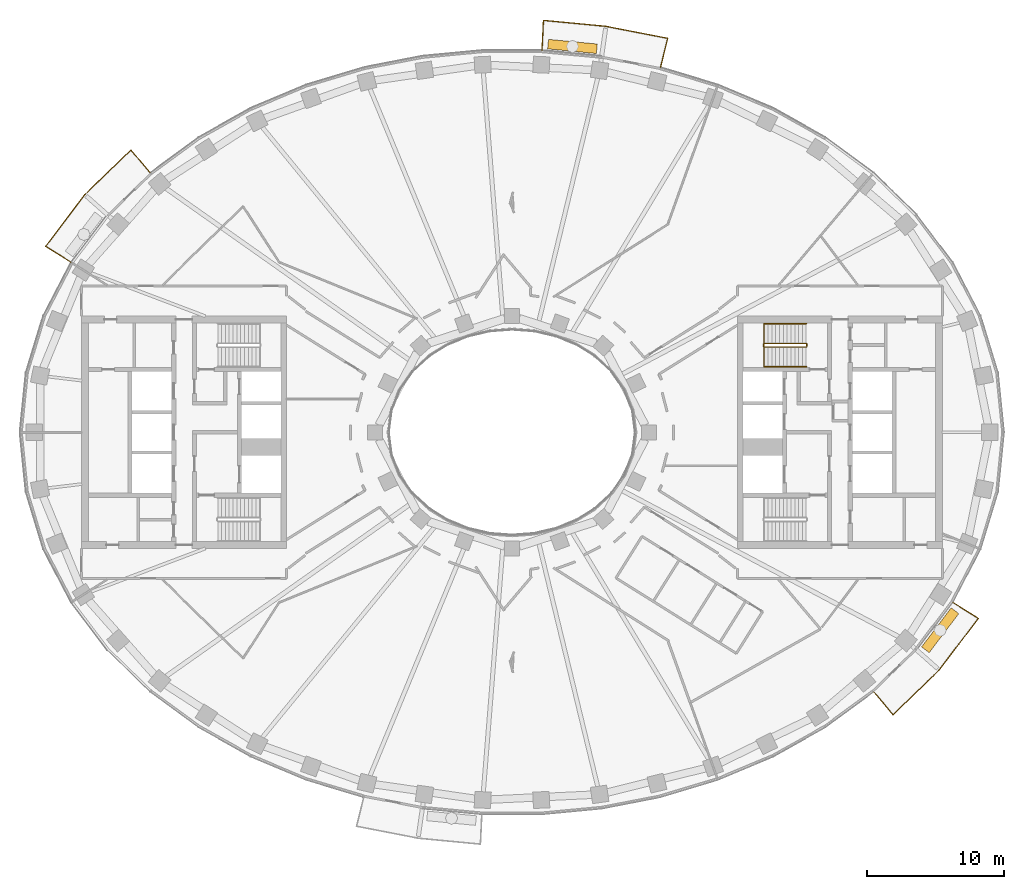
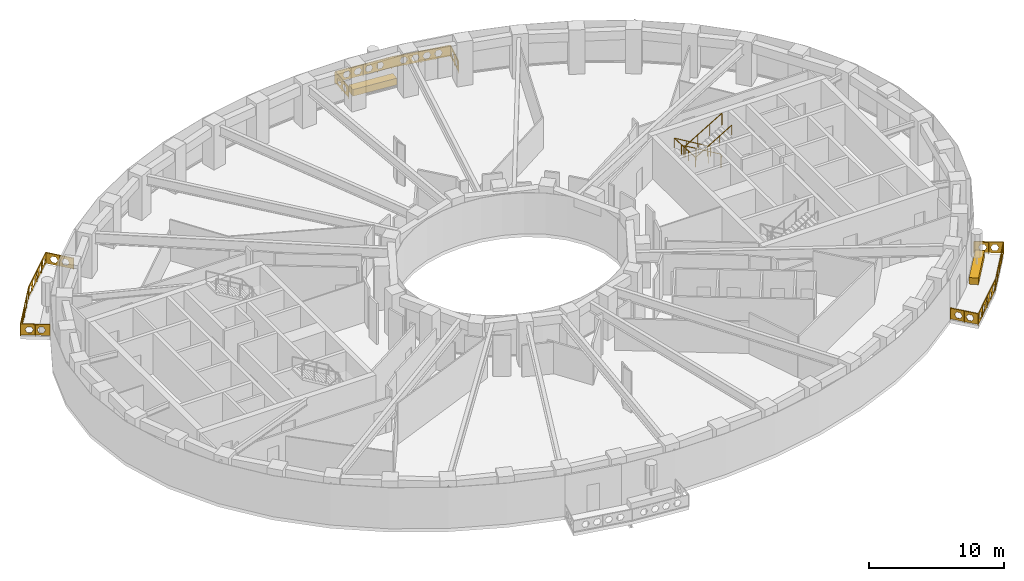
# One storey, part 15 of 16: 5 railings, 2 coverings.
"""IFC4 building model written with IfcOpenShell, lengths in metres."""

from ifc_helpers import new_model, si_unit, direction, frame, origin, origin_2d, place, context, subcontext, project, spatial, polyline, rectangle, outline, extrude, material, type_object, element, save


model = new_model("IFC4")

# Units and contexts
model_context = context("Model", 3, precision=1e-05, world=origin(), true_north=direction((0.0, 1.0)))
body_context = subcontext(model_context, "Body", "Model", "MODEL_VIEW")
ifc_project = project(units=[si_unit("LENGTHUNIT", "METRE"), si_unit("AREAUNIT", "SQUARE_METRE"), si_unit("VOLUMEUNIT", "CUBIC_METRE"), si_unit("PLANEANGLEUNIT", "RADIAN"), si_unit("MASSUNIT", "GRAM", prefix="KILO")], contexts=[model_context])

# Site, building, storey
site_placement = place(None, origin())
site = spatial("IfcSite", under=ifc_project, at=site_placement, CompositionType="ELEMENT")
building_placement = place(site_placement, origin())
building = spatial("IfcBuilding", under=site, at=building_placement, Name="Noorbagh Ring Tower", CompositionType="ELEMENT")
storey_placement = place(building_placement, frame((0.0, 0.0, 166.0)))
storey = spatial("IfcBuildingStorey", under=building, at=storey_placement, Name="L38", CompositionType="ELEMENT", Elevation=166.0)

# Railings
ifc_material_1 = material(Name="Stainless steel", Category="steel")
railing_type_1 = type_object("IfcRailingType", Name="CORE-STAIR-GUARD", PredefinedType="GUARDRAIL", material=ifc_material_1)
railing_1_placement = place(storey_placement, frame((21.580078125, 6.449951171875, 0.0)))
element("IfcRailing", 1, at=railing_1_placement, inside=storey, type_object=railing_type_1, Name="L38 ST3 stair guard", PredefinedType="GUARDRAIL", context=body_context, shape_type="SweptSolid", body=[
    extrude(rectangle(XDim=0.048095703125, YDim=0.048095703125, at=origin_2d()), frame((0.0, 0.0, 1.076171875), z_axis=(0.0, -1.0, 0.0), x_axis=(1.0, 0.0, 0.0)), (0.0, 0.0, 1.0), 0.14990234375),
    extrude(rectangle(XDim=0.048095703125, YDim=0.048095703125, at=origin_2d()), frame((0.0, -0.14990234375, 1.076171875), z_axis=(-0.188775798145, 0.754182335027, 0.628945707965), x_axis=(-0.970072785993, -0.242814311512, 0.0)), (0.0, 0.0, 1.0), 0.26513671875),
    extrude(rectangle(XDim=0.048095703125, YDim=0.048095703125, at=origin_2d()), frame((-0.050048828125, 0.050048828125, 1.24267578125), z_axis=(-0.859308565015, 0.0, 0.511457515432), x_axis=(0.0, -1.0, 0.0)), (0.0, 0.0, 1.0), 3.58447265625),
    extrude(rectangle(XDim=0.048095703125, YDim=0.048095703125, at=origin_2d()), frame((-3.130126953125, 0.050048828125, 3.076171875), z_axis=(-0.707106781187, -0.707106781187, 0.0), x_axis=(0.707106781187, -0.707106781187, 0.0)), (0.0, 0.0, 1.0), 0.07080078125),
    extrude(rectangle(XDim=0.048095703125, YDim=0.048095703125, at=origin_2d()), frame((-3.18017578125, 0.0, 3.076171875), z_axis=(0.0, -1.0, 0.0), x_axis=(1.0, 0.0, 0.0)), (0.0, 0.0, 1.0), 0.14990234375),
    extrude(rectangle(XDim=0.048095703125, YDim=0.048095703125, at=origin_2d()), frame((-3.18017578125, -0.14990234375, 3.076171875), z_axis=(0.27628659633, -0.27628659633, 0.920506074601), x_axis=(0.707106781187, 0.707106781187, 0.0)), (0.0, 0.0, 1.0), 0.18115234375),
    extrude(rectangle(XDim=0.048095703125, YDim=0.048095703125, at=origin_2d()), frame((-3.130126953125, -0.199951171875, 3.24267578125), z_axis=(0.859308565015, 0.0, 0.511457515432), x_axis=(0.0, 1.0, 0.0)), (0.0, 0.0, 1.0), 3.58447265625),
    extrude(rectangle(XDim=0.0419921875, YDim=0.0419921875, at=origin_2d()), origin(), (0.0, 0.0, 1.0), 1.052001953125),
    extrude(rectangle(XDim=0.0419921875, YDim=0.0419921875, at=origin_2d()), frame((-1.07666015625, 0.050048828125, 0.77783203125)), (0.0, 0.0, 1.0), 1.052001953125),
    extrude(rectangle(XDim=0.0419921875, YDim=0.0419921875, at=origin_2d()), frame((-2.103515625, 0.050048828125, 1.388916015625)), (0.0, 0.0, 1.0), 1.052001953125),
    extrude(rectangle(XDim=0.0419921875, YDim=0.0419921875, at=origin_2d()), frame((-3.130126953125, 0.050048828125, 2.0)), (0.0, 0.0, 1.0), 1.052001953125),
    extrude(rectangle(XDim=0.0419921875, YDim=0.0419921875, at=origin_2d()), frame((-3.130126953125, -0.199951171875, 2.166748046875)), (0.0, 0.0, 1.0), 1.052001953125),
    extrude(rectangle(XDim=0.0419921875, YDim=0.0419921875, at=origin_2d()), frame((-2.103515625, -0.199951171875, 2.77783203125)), (0.0, 0.0, 1.0), 1.052001953125),
    extrude(rectangle(XDim=0.0419921875, YDim=0.0419921875, at=origin_2d()), frame((-1.07666015625, -0.199951171875, 3.388916015625)), (0.0, 0.0, 1.0), 1.052001953125),
    extrude(rectangle(XDim=0.0419921875, YDim=0.0419921875, at=origin_2d()), frame((-0.050048828125, -0.199951171875, 4.0)), (0.0, 0.0, 1.0), 1.052001953125),
])
ifc_material_2 = material(Name="Stainless steel", Category="steel")
railing_type_2 = type_object("IfcRailingType", Name="CORE-STAIR-HANDRAIL", PredefinedType="HANDRAIL", material=ifc_material_2)
railing_2_placement = place(storey_placement, frame((21.530029296875, 7.949951171875, 0.166748046875)))
element("IfcRailing", 2, at=railing_2_placement, inside=storey, type_object=railing_type_2, Name="L38 ST3 stair handrail", PredefinedType="HANDRAIL", context=body_context, shape_type="SweptSolid", body=[
    extrude(rectangle(XDim=0.048095703125, YDim=0.048095703125, at=origin_2d()), frame((0.0, 0.0, 0.8759765625), z_axis=(-0.859308565015, 0.0, 0.511457515432), x_axis=(0.0, -1.0, 0.0)), (0.0, 0.0, 1.0), 3.58447265625),
    extrude(rectangle(XDim=0.048095703125, YDim=0.048095703125, at=origin_2d()), frame((-3.080078125, 0.0, 2.708984375), z_axis=(0.0, -0.998601747152, 0.052863509014), x_axis=(1.0, 0.0, 0.0)), (0.0, 0.0, 1.0), 3.154296875),
    extrude(rectangle(XDim=0.048095703125, YDim=0.048095703125, at=origin_2d()), frame((-3.080078125, -3.14990234375, 2.8759765625), z_axis=(0.859308565015, 0.0, 0.511457515432), x_axis=(0.0, 1.0, 0.0)), (0.0, 0.0, 1.0), 3.58447265625),
    extrude(rectangle(XDim=0.0419921875, YDim=0.0419921875, at=origin_2d()), origin(), (0.0, 0.0, 1.0), 0.851806640625),
    extrude(rectangle(XDim=0.0419921875, YDim=0.0419921875, at=origin_2d()), frame((-1.026611328125, 0.0, 0.611083984375)), (0.0, 0.0, 1.0), 0.851806640625),
    extrude(rectangle(XDim=0.0419921875, YDim=0.0419921875, at=origin_2d()), frame((-2.053466796875, 0.0, 1.22216796875)), (0.0, 0.0, 1.0), 0.851806640625),
    extrude(rectangle(XDim=0.0419921875, YDim=0.0419921875, at=origin_2d()), frame((-3.080078125, 0.0, 1.833251953125)), (0.0, 0.0, 1.0), 0.851806640625),
    extrude(rectangle(XDim=0.0419921875, YDim=0.0419921875, at=origin_2d()), frame((-3.080078125, -1.050048828125, 1.888916015625)), (0.0, 0.0, 1.0), 0.851806640625),
    extrude(rectangle(XDim=0.0419921875, YDim=0.0419921875, at=origin_2d()), frame((-3.080078125, -2.099853515625, 1.9443359375)), (0.0, 0.0, 1.0), 0.851806640625),
    extrude(rectangle(XDim=0.0419921875, YDim=0.0419921875, at=origin_2d()), frame((-3.080078125, -3.14990234375, 2.0)), (0.0, 0.0, 1.0), 0.851806640625),
    extrude(rectangle(XDim=0.0419921875, YDim=0.0419921875, at=origin_2d()), frame((-2.053466796875, -3.14990234375, 2.611083984375)), (0.0, 0.0, 1.0), 0.851806640625),
    extrude(rectangle(XDim=0.0419921875, YDim=0.0419921875, at=origin_2d()), frame((-1.026611328125, -3.14990234375, 3.22216796875)), (0.0, 0.0, 1.0), 0.851806640625),
    extrude(rectangle(XDim=0.0419921875, YDim=0.0419921875, at=origin_2d()), frame((0.0, -3.14990234375, 3.833251953125)), (0.0, 0.0, 1.0), 0.851806640625),
])
ifc_material_3 = material(Name="Steel S275 black powder-coated", Category="steel")
railing_type_3 = type_object("IfcRailingType", Name="ENV-GUARD", PredefinedType="GUARDRAIL", material=ifc_material_3)
railing_3_placement = place(storey_placement, frame((10.865234375, 26.6943359375, 0.0)))
element("IfcRailing", 3, at=railing_3_placement, inside=storey, type_object=railing_type_3, Name="Balcony guard BN03", PredefinedType="GUARDRAIL", context=body_context, shape_type="SweptSolid", body=[
    extrude(rectangle(XDim=0.048095703125, YDim=0.048095703125, at=origin_2d()), frame((0.0, 0.0, 1.076171875), z_axis=(0.239848558412, 0.970810315679, 0.0), x_axis=(-0.970810315679, 0.239848558412, 0.0)), (0.0, 0.0, 1.0), 2.20263671875),
    extrude(rectangle(XDim=0.048095703125, YDim=0.048095703125, at=origin_2d()), frame((0.5283203125, 2.138427734375, 1.076171875), z_axis=(-0.981625049064, 0.1908199755, 0.0), x_axis=(-0.1908199755, -0.981625049064, 0.0)), (0.0, 0.0, 1.0), 4.603271484375),
    extrude(rectangle(XDim=0.048095703125, YDim=0.048095703125, at=origin_2d()), frame((-3.990478515625, 3.016845703125, 1.076171875), z_axis=(-0.995477555764, 0.094997031379, 0.0), x_axis=(-0.094997031379, -0.995477555764, 0.0)), (0.0, 0.0, 1.0), 4.59765625),
    extrude(rectangle(XDim=0.048095703125, YDim=0.048095703125, at=origin_2d()), frame((-8.5673828125, 3.45361328125, 1.076171875), z_axis=(-0.047554616162, -0.998868639252, 0.0), x_axis=(0.998868639252, -0.047554616162, 0.0)), (0.0, 0.0, 1.0), 2.202392578125),
    extrude(rectangle(XDim=0.0419921875, YDim=0.0419921875, at=origin_2d()), origin(), (0.0, 0.0, 1.0), 1.052001953125),
    extrude(rectangle(XDim=0.0419921875, YDim=0.0419921875, at=origin_2d()), frame((0.26416015625, 1.0693359375, 0.0)), (0.0, 0.0, 1.0), 1.052001953125),
    extrude(rectangle(XDim=0.0419921875, YDim=0.0419921875, at=origin_2d()), frame((0.5283203125, 2.138427734375, 0.0)), (0.0, 0.0, 1.0), 1.052001953125),
    extrude(rectangle(XDim=0.0419921875, YDim=0.0419921875, at=origin_2d()), frame((-0.601318359375, 2.35791015625, 0.0)), (0.0, 0.0, 1.0), 1.052001953125),
    extrude(rectangle(XDim=0.0419921875, YDim=0.0419921875, at=origin_2d()), frame((-1.73095703125, 2.57763671875, 0.0)), (0.0, 0.0, 1.0), 1.052001953125),
    extrude(rectangle(XDim=0.0419921875, YDim=0.0419921875, at=origin_2d()), frame((-2.86083984375, 2.79736328125, 0.0)), (0.0, 0.0, 1.0), 1.052001953125),
    extrude(rectangle(XDim=0.0419921875, YDim=0.0419921875, at=origin_2d()), frame((-3.990478515625, 3.016845703125, 0.0)), (0.0, 0.0, 1.0), 1.052001953125),
    extrude(rectangle(XDim=0.0419921875, YDim=0.0419921875, at=origin_2d()), frame((-5.134765625, 3.1259765625, 0.0)), (0.0, 0.0, 1.0), 1.052001953125),
    extrude(rectangle(XDim=0.0419921875, YDim=0.0419921875, at=origin_2d()), frame((-6.27880859375, 3.2353515625, 0.0)), (0.0, 0.0, 1.0), 1.052001953125),
    extrude(rectangle(XDim=0.0419921875, YDim=0.0419921875, at=origin_2d()), frame((-7.423095703125, 3.344482421875, 0.0)), (0.0, 0.0, 1.0), 1.052001953125),
    extrude(rectangle(XDim=0.0419921875, YDim=0.0419921875, at=origin_2d()), frame((-8.5673828125, 3.45361328125, 0.0)), (0.0, 0.0, 1.0), 1.052001953125),
    extrude(rectangle(XDim=0.0419921875, YDim=0.0419921875, at=origin_2d()), frame((-8.61962890625, 2.353515625, 0.0)), (0.0, 0.0, 1.0), 1.052001953125),
    extrude(rectangle(XDim=0.0419921875, YDim=0.0419921875, at=origin_2d()), frame((-8.672119140625, 1.253662109375, 0.0)), (0.0, 0.0, 1.0), 1.052001953125),
    extrude(outline(polyline([(0.0, 0.10009765625), (2.20263671875, 0.10009765625), (2.20263671875, 1.031982421875), (0.0, 1.031982421875), (0.0, 0.10009765625)]), holes=[polyline([(0.96142578125, 0.56591796875), (0.806396484375, 0.83447265625), (0.496337890625, 0.83447265625), (0.34130859375, 0.56591796875), (0.496337890625, 0.297607421875), (0.806396484375, 0.297607421875), (0.96142578125, 0.56591796875)]), polyline([(1.861328125, 0.56591796875), (1.706298828125, 0.83447265625), (1.396240234375, 0.83447265625), (1.241455078125, 0.56591796875), (1.396240234375, 0.297607421875), (1.706298828125, 0.297607421875), (1.861328125, 0.56591796875)])]), frame((-0.009765625, 0.00244140625, 0.0), z_axis=(0.970810315679, -0.239848558412, 0.0), x_axis=(0.239848558412, 0.970810315679, 0.0)), (0.0, 0.0, 1.0), 0.02001953125),
    extrude(outline(polyline([(0.0, 0.10009765625), (4.603271484375, 0.10009765625), (4.603271484375, 1.031982421875), (0.0, 1.031982421875), (0.0, 0.10009765625)]), holes=[polyline([(1.26171875, 0.56591796875), (1.106689453125, 0.83447265625), (0.796630859375, 0.83447265625), (0.6416015625, 0.56591796875), (0.796630859375, 0.297607421875), (1.106689453125, 0.297607421875), (1.26171875, 0.56591796875)]), polyline([(2.16162109375, 0.56591796875), (2.006591796875, 0.83447265625), (1.69677734375, 0.83447265625), (1.541748046875, 0.56591796875), (1.69677734375, 0.297607421875), (2.006591796875, 0.297607421875), (2.16162109375, 0.56591796875)]), polyline([(3.061767578125, 0.56591796875), (2.90673828125, 0.83447265625), (2.5966796875, 0.83447265625), (2.441650390625, 0.56591796875), (2.5966796875, 0.297607421875), (2.90673828125, 0.297607421875), (3.061767578125, 0.56591796875)]), polyline([(3.961669921875, 0.56591796875), (3.806640625, 0.83447265625), (3.49658203125, 0.83447265625), (3.341796875, 0.56591796875), (3.49658203125, 0.297607421875), (3.806640625, 0.297607421875), (3.961669921875, 0.56591796875)])]), frame((0.5263671875, 2.128662109375, 0.0), z_axis=(0.1908199755, 0.981625049064, 0.0), x_axis=(-0.981625049064, 0.1908199755, 0.0)), (0.0, 0.0, 1.0), 0.02001953125),
    extrude(outline(polyline([(0.0, 0.10009765625), (4.59765625, 0.10009765625), (4.59765625, 1.031982421875), (0.0, 1.031982421875), (0.0, 0.10009765625)]), holes=[polyline([(1.2587890625, 0.56591796875), (1.103759765625, 0.83447265625), (0.7939453125, 0.83447265625), (0.638916015625, 0.56591796875), (0.7939453125, 0.297607421875), (1.103759765625, 0.297607421875), (1.2587890625, 0.56591796875)]), polyline([(2.158935546875, 0.56591796875), (2.00390625, 0.83447265625), (1.69384765625, 0.83447265625), (1.538818359375, 0.56591796875), (1.69384765625, 0.297607421875), (2.00390625, 0.297607421875), (2.158935546875, 0.56591796875)]), polyline([(3.058837890625, 0.56591796875), (2.90380859375, 0.83447265625), (2.59375, 0.83447265625), (2.43896484375, 0.56591796875), (2.59375, 0.297607421875), (2.90380859375, 0.297607421875), (3.058837890625, 0.56591796875)]), polyline([(3.958740234375, 0.56591796875), (3.803955078125, 0.83447265625), (3.493896484375, 0.83447265625), (3.3388671875, 0.56591796875), (3.493896484375, 0.297607421875), (3.803955078125, 0.297607421875), (3.958740234375, 0.56591796875)])]), frame((-3.991455078125, 3.0068359375, 0.0), z_axis=(0.094997031379, 0.995477555764, 0.0), x_axis=(-0.995477555764, 0.094997031379, 0.0)), (0.0, 0.0, 1.0), 0.02001953125),
    extrude(outline(polyline([(0.0, 0.10009765625), (2.202392578125, 0.10009765625), (2.202392578125, 1.031982421875), (0.0, 1.031982421875), (0.0, 0.10009765625)]), holes=[polyline([(0.961181640625, 0.56591796875), (0.80615234375, 0.83447265625), (0.496337890625, 0.83447265625), (0.34130859375, 0.56591796875), (0.496337890625, 0.297607421875), (0.80615234375, 0.297607421875), (0.961181640625, 0.56591796875)]), polyline([(1.861328125, 0.56591796875), (1.706298828125, 0.83447265625), (1.396240234375, 0.83447265625), (1.2412109375, 0.56591796875), (1.396240234375, 0.297607421875), (1.706298828125, 0.297607421875), (1.861328125, 0.56591796875)])]), frame((-8.557373046875, 3.453125, 0.0), z_axis=(-0.998868639252, 0.047554616162, 0.0), x_axis=(-0.047554616162, -0.998868639252, 0.0)), (0.0, 0.0, 1.0), 0.02001953125),
])
railing_4_placement = place(storey_placement, frame((-26.463134765625, 18.983154296875, 0.0)))
element("IfcRailing", 4, at=railing_4_placement, inside=storey, type_object=railing_type_3, Name="Balcony guard BN06", PredefinedType="GUARDRAIL", context=body_context, shape_type="SweptSolid", body=[
    extrude(rectangle(XDim=0.048095703125, YDim=0.048095703125, at=origin_2d()), frame((0.0, 0.0, 1.076171875), z_axis=(-0.646413574048, 0.762987215677, 0.0), x_axis=(-0.762987215677, -0.646413574048, 0.0)), (0.0, 0.0, 1.0), 2.205322265625),
    extrude(rectangle(XDim=0.048095703125, YDim=0.048095703125, at=origin_2d()), frame((-1.425537109375, 1.6826171875, 1.076171875), z_axis=(-0.717212632946, -0.696854388766, 0.0), x_axis=(0.696854388766, -0.717212632946, 0.0)), (0.0, 0.0, 1.0), 4.700927734375),
    extrude(rectangle(XDim=0.048095703125, YDim=0.048095703125, at=origin_2d()), frame((-4.797119140625, -1.59326171875, 1.076171875), z_axis=(-0.604001613322, -0.796983093362, 0.0), x_axis=(0.796983093362, -0.604001613322, 0.0)), (0.0, 0.0, 1.0), 4.7353515625),
    extrude(rectangle(XDim=0.048095703125, YDim=0.048095703125, at=origin_2d()), frame((-7.6572265625, -5.3671875, 1.076171875), z_axis=(0.844852397829, -0.534999463442, 0.0), x_axis=(0.534999463442, 0.844852397829, 0.0)), (0.0, 0.0, 1.0), 2.207763671875),
    extrude(rectangle(XDim=0.0419921875, YDim=0.0419921875, at=origin_2d()), origin(), (0.0, 0.0, 1.0), 1.052001953125),
    extrude(rectangle(XDim=0.0419921875, YDim=0.0419921875, at=origin_2d()), frame((-0.712890625, 0.84130859375, 0.0)), (0.0, 0.0, 1.0), 1.052001953125),
    extrude(rectangle(XDim=0.0419921875, YDim=0.0419921875, at=origin_2d()), frame((-1.425537109375, 1.6826171875, 0.0)), (0.0, 0.0, 1.0), 1.052001953125),
    extrude(rectangle(XDim=0.0419921875, YDim=0.0419921875, at=origin_2d()), frame((-2.2685546875, 0.86376953125, 0.0)), (0.0, 0.0, 1.0), 1.052001953125),
    extrude(rectangle(XDim=0.0419921875, YDim=0.0419921875, at=origin_2d()), frame((-3.111328125, 0.044677734375, 0.0)), (0.0, 0.0, 1.0), 1.052001953125),
    extrude(rectangle(XDim=0.0419921875, YDim=0.0419921875, at=origin_2d()), frame((-3.9541015625, -0.7744140625, 0.0)), (0.0, 0.0, 1.0), 1.052001953125),
    extrude(rectangle(XDim=0.0419921875, YDim=0.0419921875, at=origin_2d()), frame((-4.797119140625, -1.59326171875, 0.0)), (0.0, 0.0, 1.0), 1.052001953125),
    extrude(rectangle(XDim=0.0419921875, YDim=0.0419921875, at=origin_2d()), frame((-5.51220703125, -2.53662109375, 0.0)), (0.0, 0.0, 1.0), 1.052001953125),
    extrude(rectangle(XDim=0.0419921875, YDim=0.0419921875, at=origin_2d()), frame((-6.22705078125, -3.480224609375, 0.0)), (0.0, 0.0, 1.0), 1.052001953125),
    extrude(rectangle(XDim=0.0419921875, YDim=0.0419921875, at=origin_2d()), frame((-6.942138671875, -4.423828125, 0.0)), (0.0, 0.0, 1.0), 1.052001953125),
    extrude(rectangle(XDim=0.0419921875, YDim=0.0419921875, at=origin_2d()), frame((-7.6572265625, -5.3671875, 0.0)), (0.0, 0.0, 1.0), 1.052001953125),
    extrude(rectangle(XDim=0.0419921875, YDim=0.0419921875, at=origin_2d()), frame((-6.724609375, -5.957763671875, 0.0)), (0.0, 0.0, 1.0), 1.052001953125),
    extrude(rectangle(XDim=0.0419921875, YDim=0.0419921875, at=origin_2d()), frame((-5.7919921875, -6.54833984375, 0.0)), (0.0, 0.0, 1.0), 1.052001953125),
    extrude(outline(polyline([(0.0, 0.10009765625), (2.205322265625, 0.10009765625), (2.205322265625, 1.031982421875), (0.0, 1.031982421875), (0.0, 0.10009765625)]), holes=[polyline([(0.962646484375, 0.56591796875), (0.8076171875, 0.83447265625), (0.49755859375, 0.83447265625), (0.342529296875, 0.56591796875), (0.49755859375, 0.297607421875), (0.8076171875, 0.297607421875), (0.962646484375, 0.56591796875)]), polyline([(1.862548828125, 0.56591796875), (1.707763671875, 0.83447265625), (1.397705078125, 0.83447265625), (1.24267578125, 0.56591796875), (1.397705078125, 0.297607421875), (1.707763671875, 0.297607421875), (1.862548828125, 0.56591796875)])]), frame((-0.007568359375, -0.00634765625, 0.0), z_axis=(0.762987215677, 0.646413574048, 0.0), x_axis=(-0.646413574048, 0.762987215677, 0.0)), (0.0, 0.0, 1.0), 0.02001953125),
    extrude(outline(polyline([(0.0, 0.10009765625), (4.700927734375, 0.10009765625), (4.700927734375, 1.031982421875), (0.0, 1.031982421875), (0.0, 0.10009765625)]), holes=[polyline([(0.860595703125, 0.56591796875), (0.70556640625, 0.83447265625), (0.3955078125, 0.83447265625), (0.240478515625, 0.56591796875), (0.3955078125, 0.297607421875), (0.70556640625, 0.297607421875), (0.860595703125, 0.56591796875)]), polyline([(1.760498046875, 0.56591796875), (1.60546875, 0.83447265625), (1.29541015625, 0.83447265625), (1.140380859375, 0.56591796875), (1.29541015625, 0.297607421875), (1.60546875, 0.297607421875), (1.760498046875, 0.56591796875)]), polyline([(2.660400390625, 0.56591796875), (2.50537109375, 0.83447265625), (2.195556640625, 0.83447265625), (2.04052734375, 0.56591796875), (2.195556640625, 0.297607421875), (2.50537109375, 0.297607421875), (2.660400390625, 0.56591796875)]), polyline([(3.560546875, 0.56591796875), (3.405517578125, 0.83447265625), (3.095458984375, 0.83447265625), (2.9404296875, 0.56591796875), (3.095458984375, 0.297607421875), (3.405517578125, 0.297607421875), (3.560546875, 0.56591796875)]), polyline([(4.46044921875, 0.56591796875), (4.305419921875, 0.83447265625), (3.995361328125, 0.83447265625), (3.840576171875, 0.56591796875), (3.995361328125, 0.297607421875), (4.305419921875, 0.297607421875), (4.46044921875, 0.56591796875)])]), frame((-1.41845703125, 1.675537109375, 0.0), z_axis=(-0.696854388766, 0.717212632946, 0.0), x_axis=(-0.717212632946, -0.696854388766, 0.0)), (0.0, 0.0, 1.0), 0.02001953125),
    extrude(outline(polyline([(0.0, 0.10009765625), (4.7353515625, 0.10009765625), (4.7353515625, 1.031982421875), (0.0, 1.031982421875), (0.0, 0.10009765625)]), holes=[polyline([(0.877685546875, 0.56591796875), (0.72265625, 0.83447265625), (0.41259765625, 0.83447265625), (0.257568359375, 0.56591796875), (0.41259765625, 0.297607421875), (0.72265625, 0.297607421875), (0.877685546875, 0.56591796875)]), polyline([(1.777587890625, 0.56591796875), (1.62255859375, 0.83447265625), (1.312744140625, 0.83447265625), (1.15771484375, 0.56591796875), (1.312744140625, 0.297607421875), (1.62255859375, 0.297607421875), (1.777587890625, 0.56591796875)]), polyline([(2.677734375, 0.56591796875), (2.522705078125, 0.83447265625), (2.212646484375, 0.83447265625), (2.0576171875, 0.56591796875), (2.212646484375, 0.297607421875), (2.522705078125, 0.297607421875), (2.677734375, 0.56591796875)]), polyline([(3.57763671875, 0.56591796875), (3.422607421875, 0.83447265625), (3.112548828125, 0.83447265625), (2.95751953125, 0.56591796875), (3.112548828125, 0.297607421875), (3.422607421875, 0.297607421875), (3.57763671875, 0.56591796875)]), polyline([(4.4775390625, 0.56591796875), (4.32275390625, 0.83447265625), (4.0126953125, 0.83447265625), (3.857666015625, 0.56591796875), (4.0126953125, 0.297607421875), (4.32275390625, 0.297607421875), (4.4775390625, 0.56591796875)])]), frame((-4.7890625, -1.599365234375, 0.0), z_axis=(-0.796983093362, 0.604001613322, 0.0), x_axis=(-0.604001613322, -0.796983093362, 0.0)), (0.0, 0.0, 1.0), 0.02001953125),
    extrude(outline(polyline([(0.0, 0.10009765625), (2.207763671875, 0.10009765625), (2.207763671875, 1.031982421875), (0.0, 1.031982421875), (0.0, 0.10009765625)]), holes=[polyline([(0.9638671875, 0.56591796875), (0.808837890625, 0.83447265625), (0.498779296875, 0.83447265625), (0.343994140625, 0.56591796875), (0.498779296875, 0.297607421875), (0.808837890625, 0.297607421875), (0.9638671875, 0.56591796875)]), polyline([(1.86376953125, 0.56591796875), (1.708984375, 0.83447265625), (1.39892578125, 0.83447265625), (1.243896484375, 0.56591796875), (1.39892578125, 0.297607421875), (1.708984375, 0.297607421875), (1.86376953125, 0.56591796875)])]), frame((-7.65185546875, -5.358642578125, 0.0), z_axis=(-0.534999463442, -0.844852397829, 0.0), x_axis=(0.844852397829, -0.534999463442, 0.0)), (0.0, 0.0, 1.0), 0.02001953125),
])
railing_5_placement = place(storey_placement, frame((26.463134765625, -18.983154296875, 0.0)))
element("IfcRailing", 5, at=railing_5_placement, inside=storey, type_object=railing_type_3, Name="Balcony guard BS06", PredefinedType="GUARDRAIL", context=body_context, shape_type="SweptSolid", body=[
    extrude(rectangle(XDim=0.048095703125, YDim=0.048095703125, at=origin_2d()), frame((0.0, 0.0, 1.076171875), z_axis=(0.646413574048, -0.762987215677, 0.0), x_axis=(0.762987215677, 0.646413574048, 0.0)), (0.0, 0.0, 1.0), 2.205322265625),
    extrude(rectangle(XDim=0.048095703125, YDim=0.048095703125, at=origin_2d()), frame((1.425537109375, -1.6826171875, 1.076171875), z_axis=(0.717212632946, 0.696854388766, 0.0), x_axis=(-0.696854388766, 0.717212632946, 0.0)), (0.0, 0.0, 1.0), 4.700927734375),
    extrude(rectangle(XDim=0.048095703125, YDim=0.048095703125, at=origin_2d()), frame((4.797119140625, 1.59326171875, 1.076171875), z_axis=(0.604001613322, 0.796983093362, 0.0), x_axis=(-0.796983093362, 0.604001613322, 0.0)), (0.0, 0.0, 1.0), 4.7353515625),
    extrude(rectangle(XDim=0.048095703125, YDim=0.048095703125, at=origin_2d()), frame((7.6572265625, 5.3671875, 1.076171875), z_axis=(-0.844852397829, 0.534999463442, 0.0), x_axis=(-0.534999463442, -0.844852397829, 0.0)), (0.0, 0.0, 1.0), 2.207763671875),
    extrude(rectangle(XDim=0.0419921875, YDim=0.0419921875, at=origin_2d()), origin(), (0.0, 0.0, 1.0), 1.052001953125),
    extrude(rectangle(XDim=0.0419921875, YDim=0.0419921875, at=origin_2d()), frame((0.712890625, -0.84130859375, 0.0)), (0.0, 0.0, 1.0), 1.052001953125),
    extrude(rectangle(XDim=0.0419921875, YDim=0.0419921875, at=origin_2d()), frame((1.425537109375, -1.6826171875, 0.0)), (0.0, 0.0, 1.0), 1.052001953125),
    extrude(rectangle(XDim=0.0419921875, YDim=0.0419921875, at=origin_2d()), frame((2.2685546875, -0.86376953125, 0.0)), (0.0, 0.0, 1.0), 1.052001953125),
    extrude(rectangle(XDim=0.0419921875, YDim=0.0419921875, at=origin_2d()), frame((3.111328125, -0.044677734375, 0.0)), (0.0, 0.0, 1.0), 1.052001953125),
    extrude(rectangle(XDim=0.0419921875, YDim=0.0419921875, at=origin_2d()), frame((3.9541015625, 0.7744140625, 0.0)), (0.0, 0.0, 1.0), 1.052001953125),
    extrude(rectangle(XDim=0.0419921875, YDim=0.0419921875, at=origin_2d()), frame((4.797119140625, 1.59326171875, 0.0)), (0.0, 0.0, 1.0), 1.052001953125),
    extrude(rectangle(XDim=0.0419921875, YDim=0.0419921875, at=origin_2d()), frame((5.51220703125, 2.53662109375, 0.0)), (0.0, 0.0, 1.0), 1.052001953125),
    extrude(rectangle(XDim=0.0419921875, YDim=0.0419921875, at=origin_2d()), frame((6.22705078125, 3.480224609375, 0.0)), (0.0, 0.0, 1.0), 1.052001953125),
    extrude(rectangle(XDim=0.0419921875, YDim=0.0419921875, at=origin_2d()), frame((6.942138671875, 4.423828125, 0.0)), (0.0, 0.0, 1.0), 1.052001953125),
    extrude(rectangle(XDim=0.0419921875, YDim=0.0419921875, at=origin_2d()), frame((7.6572265625, 5.3671875, 0.0)), (0.0, 0.0, 1.0), 1.052001953125),
    extrude(rectangle(XDim=0.0419921875, YDim=0.0419921875, at=origin_2d()), frame((6.724609375, 5.957763671875, 0.0)), (0.0, 0.0, 1.0), 1.052001953125),
    extrude(rectangle(XDim=0.0419921875, YDim=0.0419921875, at=origin_2d()), frame((5.7919921875, 6.54833984375, 0.0)), (0.0, 0.0, 1.0), 1.052001953125),
    extrude(outline(polyline([(0.0, 0.10009765625), (2.205322265625, 0.10009765625), (2.205322265625, 1.031982421875), (0.0, 1.031982421875), (0.0, 0.10009765625)]), holes=[polyline([(0.962646484375, 0.56591796875), (0.8076171875, 0.83447265625), (0.49755859375, 0.83447265625), (0.342529296875, 0.56591796875), (0.49755859375, 0.297607421875), (0.8076171875, 0.297607421875), (0.962646484375, 0.56591796875)]), polyline([(1.862548828125, 0.56591796875), (1.707763671875, 0.83447265625), (1.397705078125, 0.83447265625), (1.24267578125, 0.56591796875), (1.397705078125, 0.297607421875), (1.707763671875, 0.297607421875), (1.862548828125, 0.56591796875)])]), frame((0.007568359375, 0.00634765625, 0.0), z_axis=(-0.762987215677, -0.646413574048, 0.0), x_axis=(0.646413574048, -0.762987215677, 0.0)), (0.0, 0.0, 1.0), 0.02001953125),
    extrude(outline(polyline([(0.0, 0.10009765625), (4.700927734375, 0.10009765625), (4.700927734375, 1.031982421875), (0.0, 1.031982421875), (0.0, 0.10009765625)]), holes=[polyline([(0.860595703125, 0.56591796875), (0.70556640625, 0.83447265625), (0.3955078125, 0.83447265625), (0.240478515625, 0.56591796875), (0.3955078125, 0.297607421875), (0.70556640625, 0.297607421875), (0.860595703125, 0.56591796875)]), polyline([(1.760498046875, 0.56591796875), (1.60546875, 0.83447265625), (1.29541015625, 0.83447265625), (1.140380859375, 0.56591796875), (1.29541015625, 0.297607421875), (1.60546875, 0.297607421875), (1.760498046875, 0.56591796875)]), polyline([(2.660400390625, 0.56591796875), (2.50537109375, 0.83447265625), (2.195556640625, 0.83447265625), (2.04052734375, 0.56591796875), (2.195556640625, 0.297607421875), (2.50537109375, 0.297607421875), (2.660400390625, 0.56591796875)]), polyline([(3.560546875, 0.56591796875), (3.405517578125, 0.83447265625), (3.095458984375, 0.83447265625), (2.9404296875, 0.56591796875), (3.095458984375, 0.297607421875), (3.405517578125, 0.297607421875), (3.560546875, 0.56591796875)]), polyline([(4.46044921875, 0.56591796875), (4.305419921875, 0.83447265625), (3.995361328125, 0.83447265625), (3.840576171875, 0.56591796875), (3.995361328125, 0.297607421875), (4.305419921875, 0.297607421875), (4.46044921875, 0.56591796875)])]), frame((1.41845703125, -1.675537109375, 0.0), z_axis=(0.696854388766, -0.717212632946, 0.0), x_axis=(0.717212632946, 0.696854388766, 0.0)), (0.0, 0.0, 1.0), 0.02001953125),
    extrude(outline(polyline([(0.0, 0.10009765625), (4.7353515625, 0.10009765625), (4.7353515625, 1.031982421875), (0.0, 1.031982421875), (0.0, 0.10009765625)]), holes=[polyline([(0.877685546875, 0.56591796875), (0.72265625, 0.83447265625), (0.41259765625, 0.83447265625), (0.257568359375, 0.56591796875), (0.41259765625, 0.297607421875), (0.72265625, 0.297607421875), (0.877685546875, 0.56591796875)]), polyline([(1.777587890625, 0.56591796875), (1.62255859375, 0.83447265625), (1.312744140625, 0.83447265625), (1.15771484375, 0.56591796875), (1.312744140625, 0.297607421875), (1.62255859375, 0.297607421875), (1.777587890625, 0.56591796875)]), polyline([(2.677734375, 0.56591796875), (2.522705078125, 0.83447265625), (2.212646484375, 0.83447265625), (2.0576171875, 0.56591796875), (2.212646484375, 0.297607421875), (2.522705078125, 0.297607421875), (2.677734375, 0.56591796875)]), polyline([(3.57763671875, 0.56591796875), (3.422607421875, 0.83447265625), (3.112548828125, 0.83447265625), (2.95751953125, 0.56591796875), (3.112548828125, 0.297607421875), (3.422607421875, 0.297607421875), (3.57763671875, 0.56591796875)]), polyline([(4.4775390625, 0.56591796875), (4.32275390625, 0.83447265625), (4.0126953125, 0.83447265625), (3.857666015625, 0.56591796875), (4.0126953125, 0.297607421875), (4.32275390625, 0.297607421875), (4.4775390625, 0.56591796875)])]), frame((4.7890625, 1.599365234375, 0.0), z_axis=(0.796983093362, -0.604001613322, 0.0), x_axis=(0.604001613322, 0.796983093362, 0.0)), (0.0, 0.0, 1.0), 0.02001953125),
    extrude(outline(polyline([(0.0, 0.10009765625), (2.207763671875, 0.10009765625), (2.207763671875, 1.031982421875), (0.0, 1.031982421875), (0.0, 0.10009765625)]), holes=[polyline([(0.9638671875, 0.56591796875), (0.808837890625, 0.83447265625), (0.498779296875, 0.83447265625), (0.343994140625, 0.56591796875), (0.498779296875, 0.297607421875), (0.808837890625, 0.297607421875), (0.9638671875, 0.56591796875)]), polyline([(1.86376953125, 0.56591796875), (1.708984375, 0.83447265625), (1.39892578125, 0.83447265625), (1.243896484375, 0.56591796875), (1.39892578125, 0.297607421875), (1.708984375, 0.297607421875), (1.86376953125, 0.56591796875)])]), frame((7.65185546875, 5.358642578125, 0.0), z_axis=(0.534999463442, 0.844852397829, 0.0), x_axis=(-0.844852397829, 0.534999463442, 0.0)), (0.0, 0.0, 1.0), 0.02001953125),
])

# Coverings
ifc_material_4 = material(Name="Concrete C30/37 planter with soil", Category="concrete")
covering_type = type_object("IfcCoveringType", Name="ENV-PLANTER", PredefinedType="CLADDING", material=ifc_material_4)
covering_1_placement = place(storey_placement, frame((4.423828125, 28.2373046875, 0.0), z_axis=(0.0, 0.0, 1.0), x_axis=(-0.995476497323, 0.095008122171, 0.0)))
element("IfcCovering", 6, at=covering_1_placement, inside=storey, type_object=covering_type, Name="PLANTER BN03", ObjectType="PLANTER", PredefinedType="CLADDING", context=body_context, shape_type="SweptSolid", body=[
    extrude(rectangle(XDim=3.58642578125, YDim=0.699951171875, at=origin_2d()), origin(), (0.0, 0.0, 1.0), 0.60009765625),
])
covering_2_placement = place(storey_placement, frame((31.329833984375, -14.4833984375, 0.0), z_axis=(0.0, 0.0, 1.0), x_axis=(0.604020184358, 0.796969018776, 0.0)))
element("IfcCovering", 7, at=covering_2_placement, inside=storey, type_object=covering_type, Name="PLANTER BS06", ObjectType="PLANTER", PredefinedType="CLADDING", context=body_context, shape_type="SweptSolid", body=[
    extrude(rectangle(XDim=3.583251953125, YDim=0.699951171875, at=origin_2d()), origin(), (0.0, 0.0, 1.0), 0.60009765625),
])

save(model, "model.ifc")
